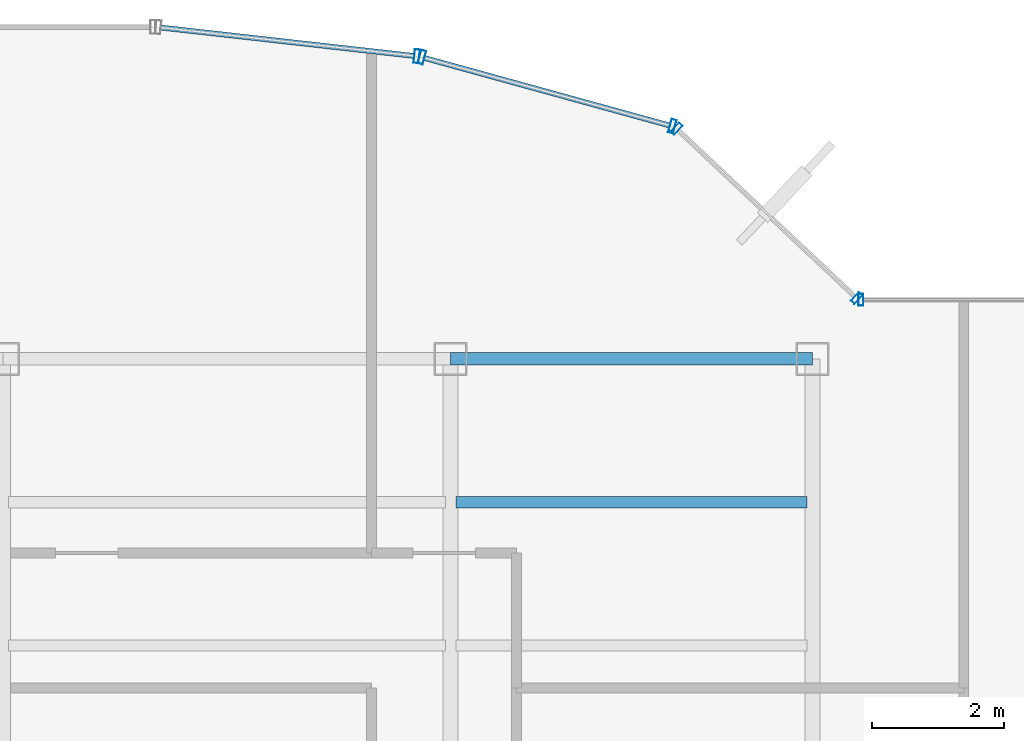
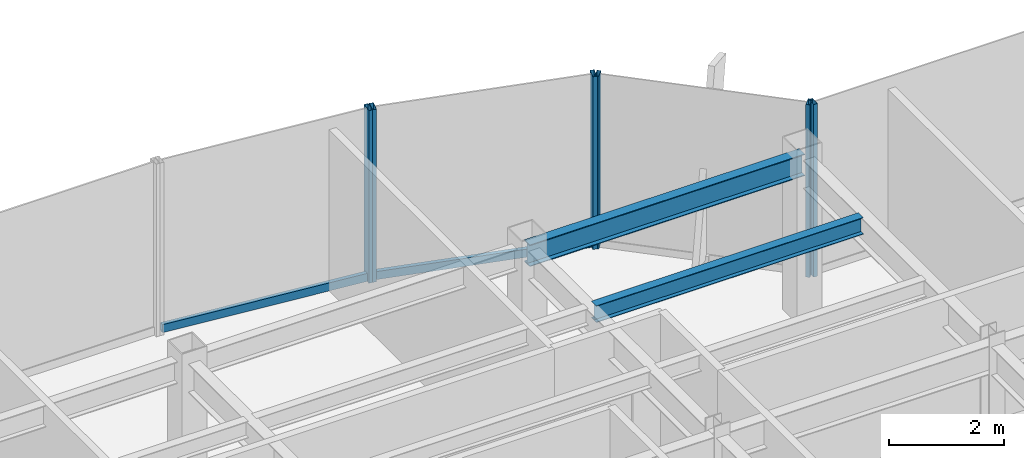
# One storey, part 14 of 22: 8 members, 2 beams, 4 elements without a shape of their own.
"""IFC4 building model written with IfcOpenShell, lengths in metres."""

from ifc_helpers import new_model, si_unit, derived_unit, direction, frame, origin, origin_2d, place, context, subcontext, project, spatial, hollow_rectangle, i_section, extrude, source, transform, mapped, material, material_profile, profile_set, type_object, element, aggregate, save


model = new_model("IFC4")

# Units and contexts
model_context = context("Model", 3, precision=1e-05, world=origin(), true_north=direction((0.0, 1.0)))
body_context = subcontext(model_context, "Body", "Model", "MODEL_VIEW")
ifc_project = project(units=[si_unit("LENGTHUNIT", "METRE"), si_unit("AREAUNIT", "SQUARE_METRE"), si_unit("VOLUMEUNIT", "CUBIC_METRE"), si_unit("PLANEANGLEUNIT", "RADIAN"), si_unit("MASSUNIT", "GRAM", prefix="KILO"), derived_unit("THERMALTRANSMITTANCEUNIT", [(si_unit("POWERUNIT", "WATT"), 1), (si_unit("LENGTHUNIT", "METRE"), -2), (si_unit("THERMODYNAMICTEMPERATUREUNIT", "KELVIN"), -1)])], contexts=[model_context])

# Site, building, storey
site_placement = place(None, origin())
site = spatial("IfcSite", under=ifc_project, at=site_placement, CompositionType="ELEMENT")
building_placement = place(site_placement, origin())
building = spatial("IfcBuilding", under=site, at=building_placement, Name="Skarnbrae Concourse Arena and Tower", CompositionType="ELEMENT")
storey_placement = place(building_placement, frame((0.0, 0.0, 203.199951171875)))
storey = spatial("IfcBuildingStorey", under=building, at=storey_placement, Name="L52", CompositionType="ELEMENT", Elevation=203.199951171875)

# Beams
ifc_material_1 = material(Name="Steel CSA G40.21 350W", Category="steel")
ifc_material_profile_1 = material_profile(ifc_material_1, i_section(OverallWidth=0.19091796875, OverallDepth=0.4599609375, WebThickness=0.010009765625, FlangeThickness=0.01611328125, at=origin_2d()), Name="W460X82")
ifc_profile_set_1 = profile_set([ifc_material_profile_1], Name="Steel CSA G40.21 350W")
beam_type_1 = type_object("IfcBeamType", Name="BM-SPAN-W460X82", PredefinedType="SPANDREL", material=ifc_profile_set_1)
shared_shape_1 = source(origin(), body_context, "Body", "SweptSolid", [
    extrude(i_section(OverallWidth=0.19091796875, OverallDepth=0.4599609375, WebThickness=0.010009765625, FlangeThickness=0.01611328125, at=origin_2d()), origin(), (0.0, 0.0, 1.0), 5.5),
])
beam_1_placement = place(storey_placement, frame((28.0, 34.39990234375, 3.170166015625), z_axis=(1.0, 0.0, 0.0), x_axis=(0.0, 1.0, 0.0)))
element("IfcBeam", 1, at=beam_1_placement, inside=storey, type_object=beam_type_1, Name="L52 Perimeter spandrel Y34.4-4", PredefinedType="SPANDREL", context=body_context, shape_type="MappedRepresentation", body=[
    mapped(shared_shape_1, transform((0.0, 0.0, 0.0))),
])
ifc_material_profile_2 = material_profile(ifc_material_1, i_section(OverallWidth=0.1708984375, OverallDepth=0.35498046875, WebThickness=0.007080078125, FlangeThickness=0.01171875, at=origin_2d()), Name="W360X51")
ifc_profile_set_2 = profile_set([ifc_material_profile_2], Name="Steel CSA G40.21 350W")
beam_type_2 = type_object("IfcBeamType", Name="BM-JOIST-W360X51", PredefinedType="JOIST", material=ifc_profile_set_2)
shared_shape_2 = source(origin(), body_context, "Body", "SweptSolid", [
    extrude(i_section(OverallWidth=0.1708984375, OverallDepth=0.35498046875, WebThickness=0.007080078125, FlangeThickness=0.01171875, at=origin_2d()), origin(), (0.0, 0.0, 1.0), 5.33984375),
])
beam_2_placement = place(storey_placement, frame((28.080078125, 32.221923828125, 3.22265625), z_axis=(1.0, 0.0, 0.0), x_axis=(0.0, 1.0, 0.0)))
element("IfcBeam", 2, at=beam_2_placement, inside=storey, type_object=beam_type_2, Name="L52 Secondary floor joist 3.2.4", PredefinedType="JOIST", context=body_context, shape_type="MappedRepresentation", body=[
    mapped(shared_shape_2, transform((0.0, 0.0, 0.0))),
])

# Curtain wall, members
ifc_material_2 = material(Name="Bronze anodised aluminium 6063-T6", Category="aluminium")
curtain_wall_type_1 = type_object("IfcCurtainWallType", Name="CW-SYS-03-PORTAL", PredefinedType="USERDEFINED", material=ifc_material_2)
curtain_wall_1_placement = place(storey_placement, origin())
curtain_wall_1 = element("IfcCurtainWall", 3, at=curtain_wall_1_placement, inside=storey, type_object=curtain_wall_type_1, Name="L52 Unitised curtain wall CW-L52-E09", ObjectType="UNITISED CURTAIN WALL", PredefinedType="USERDEFINED")
ifc_material_profile_3 = material_profile(ifc_material_2, hollow_rectangle(XDim=0.080078125, YDim=0.2099609375, WallThickness=0.00439453125, at=origin_2d()), Name="ALU-MULL-80X210")
ifc_profile_set_3 = profile_set([ifc_material_profile_3], Name="Bronze anodised aluminium 6063-T6")
member_type_1 = type_object("IfcMemberType", Name="CWM-CW-03", PredefinedType="MULLION", material=ifc_profile_set_3)
shared_shape_3 = source(origin(), body_context, "Body", "SweptSolid", [
    extrude(hollow_rectangle(XDim=0.080078125, YDim=0.2099609375, WallThickness=0.00439453125, at=origin_2d()), origin(), (0.0, 0.0, 1.0), 3.650146484375),
])
member_1_placement = place(storey_placement, frame((31.37109375, 37.937255859375, 0.0), z_axis=(0.0, 0.0, 1.0), x_axis=(-0.964057388766, 0.265694093207, 0.0)))
member_1 = element("IfcMember", 4, at=member_1_placement, type_object=member_type_1, Name="CW-L52-E09 Mullion 1", PredefinedType="MULLION", context=body_context, shape_type="MappedRepresentation", body=[
    mapped(shared_shape_3, transform((0.0, 0.0, 0.0))),
])
member_2_placement = place(storey_placement, frame((27.564453125, 38.986572265625, 0.0), z_axis=(0.0, 0.0, 1.0), x_axis=(-0.964057388766, 0.265694093207, 0.0)))
member_2 = element("IfcMember", 5, at=member_2_placement, type_object=member_type_1, Name="CW-L52-E09 Mullion 2", PredefinedType="MULLION", context=body_context, shape_type="MappedRepresentation", body=[
    mapped(shared_shape_3, transform((0.0, 0.0, 0.0))),
])

# Curtain wall, member
curtain_wall_2_placement = place(storey_placement, origin())
curtain_wall_2 = element("IfcCurtainWall", 6, at=curtain_wall_2_placement, inside=storey, type_object=curtain_wall_type_1, Name="L52 Unitised curtain wall CW-L52-E10", ObjectType="UNITISED CURTAIN WALL", PredefinedType="USERDEFINED")
member_3_placement = place(storey_placement, frame((27.486083984375, 39.001708984375, 0.0), z_axis=(0.0, 0.0, 1.0), x_axis=(-0.993768891873, 0.111460259941, 0.0)))
member_3 = element("IfcMember", 7, at=member_3_placement, type_object=member_type_1, Name="CW-L52-E10 Mullion 1", PredefinedType="MULLION", context=body_context, shape_type="MappedRepresentation", body=[
    mapped(shared_shape_3, transform((0.0, 0.0, 0.0))),
])

curtain_wall_type_2 = type_object("IfcCurtainWallType", Name="CW-SYS-05-HIGHZONE", PredefinedType="USERDEFINED", material=ifc_material_2)
curtain_wall_3_placement = place(storey_placement, origin())
curtain_wall_3 = element("IfcCurtainWall", 8, at=curtain_wall_3_placement, inside=storey, type_object=curtain_wall_type_2, Name="L52 Unitised curtain wall CW-L52-E07", ObjectType="UNITISED CURTAIN WALL", PredefinedType="USERDEFINED")
ifc_material_profile_4 = material_profile(ifc_material_2, hollow_rectangle(XDim=0.074951171875, YDim=0.179931640625, WallThickness=0.00390625, at=origin_2d()), Name="ALU-MULL-75X180")
ifc_profile_set_4 = profile_set([ifc_material_profile_4], Name="Bronze anodised aluminium 6063-T6")
member_type_2 = type_object("IfcMemberType", Name="CWM-CW-05", PredefinedType="MULLION", material=ifc_profile_set_4)
shared_shape_4 = source(origin(), body_context, "Body", "SweptSolid", [
    extrude(hollow_rectangle(XDim=0.074951171875, YDim=0.179931640625, WallThickness=0.00390625, at=origin_2d()), origin(), (0.0, 0.0, 1.0), 3.650146484375),
])
member_4_placement = place(storey_placement, frame((34.237548828125, 35.300048828125, 0.0), z_axis=(0.0, 0.0, 1.0), x_axis=(-1.0, 0.0, 0.0)))
member_4 = element("IfcMember", 9, at=member_4_placement, type_object=member_type_2, Name="CW-L52-E07 Mullion 2", PredefinedType="MULLION", context=body_context, shape_type="MappedRepresentation", body=[
    mapped(shared_shape_4, transform((0.0, 0.0, 0.0))),
])
aggregate(curtain_wall_3, [member_4])

# Curtain wall, members
curtain_wall_4_placement = place(storey_placement, origin())
curtain_wall_4 = element("IfcCurtainWall", 10, at=curtain_wall_4_placement, inside=storey, type_object=curtain_wall_type_2, Name="L52 Unitised curtain wall CW-L52-E08", ObjectType="UNITISED CURTAIN WALL", PredefinedType="USERDEFINED")
member_5_placement = place(storey_placement, frame((34.172607421875, 35.32568359375, 0.0), z_axis=(0.0, 0.0, 1.0), x_axis=(-0.728130555214, 0.685438468838, 0.0)))
member_5 = element("IfcMember", 11, at=member_5_placement, type_object=member_type_2, Name="CW-L52-E08 Mullion 1", PredefinedType="MULLION", context=body_context, shape_type="MappedRepresentation", body=[
    mapped(shared_shape_4, transform((0.0, 0.0, 0.0))),
])
member_6_placement = place(storey_placement, frame((31.43701171875, 37.90087890625, 0.0), z_axis=(0.0, 0.0, 1.0), x_axis=(-0.728130555214, 0.685438468838, 0.0)))
member_6 = element("IfcMember", 12, at=member_6_placement, type_object=member_type_2, Name="CW-L52-E08 Mullion 2", PredefinedType="MULLION", context=body_context, shape_type="MappedRepresentation", body=[
    mapped(shared_shape_4, transform((0.0, 0.0, 0.0))),
])
aggregate(curtain_wall_4, [member_5, member_6])

# Member
ifc_material_profile_5 = material_profile(ifc_material_2, hollow_rectangle(XDim=0.080078125, YDim=0.169921875, WallThickness=0.00439453125, at=origin_2d()), Name="ALU-TRAN-80X170")
ifc_profile_set_5 = profile_set([ifc_material_profile_5], Name="Bronze anodised aluminium 6063-T6")
member_type_3 = type_object("IfcMemberType", Name="CWT-CW-03", PredefinedType="USERDEFINED", material=ifc_profile_set_5)
shared_shape_5 = source(origin(), body_context, "Body", "SweptSolid", [
    extrude(hollow_rectangle(XDim=0.080078125, YDim=0.169921875, WallThickness=0.00439453125, at=origin_2d()), origin(), (0.0, 0.0, 1.0), 3.86865234375),
])
member_7_placement = place(storey_placement, frame((31.33251953125, 37.947998046875, 0.0849609375), z_axis=(-0.964062872218, 0.265674195983, 0.0), x_axis=(-0.265674195983, -0.964062872218, 0.0)))
member_7 = element("IfcMember", 13, at=member_7_placement, type_object=member_type_3, Name="CW-L52-E09 Transom 1", ObjectType="TRANSOM", PredefinedType="USERDEFINED", context=body_context, shape_type="MappedRepresentation", body=[
    mapped(shared_shape_5, transform((0.0, 0.0, 0.0))),
])

aggregate(curtain_wall_1, [member_1, member_2, member_7])

shared_shape_6 = source(origin(), body_context, "Body", "SweptSolid", [
    extrude(hollow_rectangle(XDim=0.080078125, YDim=0.169921875, WallThickness=0.00439453125, at=origin_2d()), origin(), (0.0, 0.0, 1.0), 3.873779296875),
])
member_8_placement = place(storey_placement, frame((27.4462890625, 39.006103515625, 0.0849609375), z_axis=(-0.993772558096, 0.111427567397, 0.0), x_axis=(-0.111427567397, -0.993772558096, 0.0)))
member_8 = element("IfcMember", 14, at=member_8_placement, type_object=member_type_3, Name="CW-L52-E10 Transom 1", ObjectType="TRANSOM", PredefinedType="USERDEFINED", context=body_context, shape_type="MappedRepresentation", body=[
    mapped(shared_shape_6, transform((0.0, 0.0, 0.0))),
])

aggregate(curtain_wall_2, [member_3, member_8])

save(model, "model.ifc")
